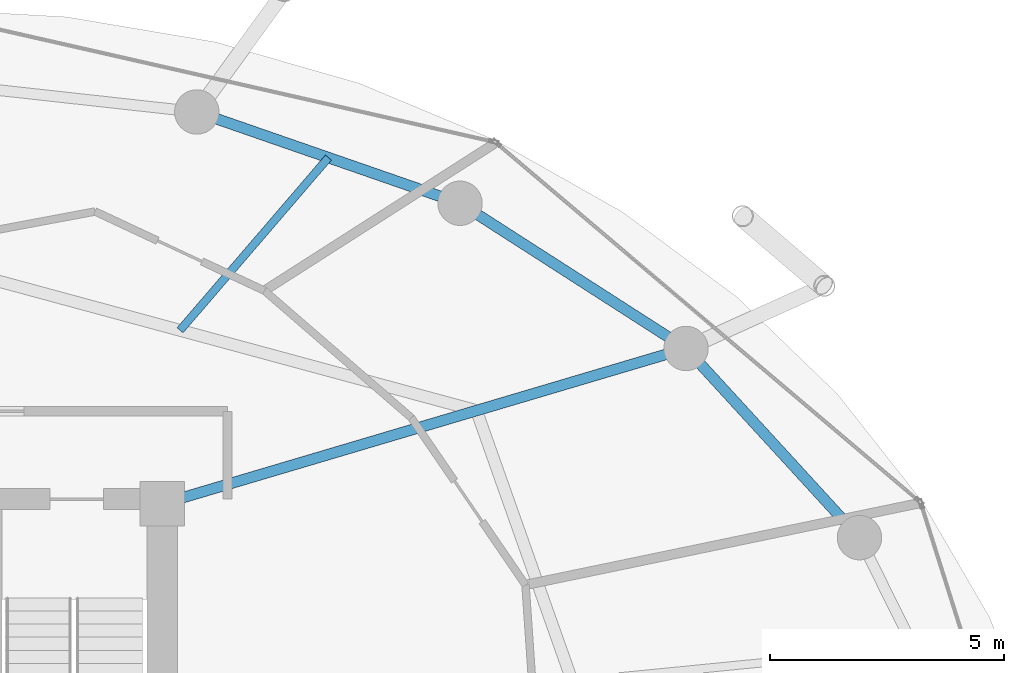
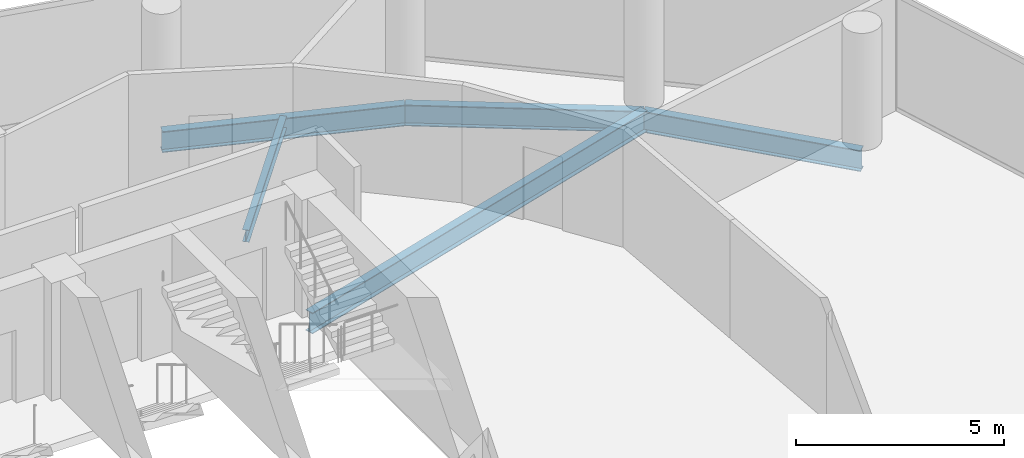
# One storey, part 18 of 26: 5 beams.
"""IFC4 building model written with IfcOpenShell, lengths in metres."""

from ifc_helpers import new_model, si_unit, direction, frame, origin, origin_2d, place, context, subcontext, project, spatial, i_section, extrude, material, material_profile, profile_set, type_object, element, save


model = new_model("IFC4")

# Units and contexts
model_context = context("Model", 3, precision=1e-05, world=origin(), true_north=direction((0.0, 1.0)))
body_context = subcontext(model_context, "Body", "Model", "MODEL_VIEW")
ifc_project = project(units=[si_unit("LENGTHUNIT", "METRE"), si_unit("AREAUNIT", "SQUARE_METRE"), si_unit("VOLUMEUNIT", "CUBIC_METRE"), si_unit("PLANEANGLEUNIT", "RADIAN"), si_unit("MASSUNIT", "GRAM", prefix="KILO")], contexts=[model_context])

# Site, building, storey
site_placement = place(None, origin())
site = spatial("IfcSite", under=ifc_project, at=site_placement, CompositionType="ELEMENT")
building_placement = place(site_placement, origin())
building = spatial("IfcBuilding", under=site, at=building_placement, Name="Nuhasar Tower", CompositionType="ELEMENT")
storey_placement = place(building_placement, frame((0.0, 0.0, 140.449951171875)))
storey = spatial("IfcBuildingStorey", under=building, at=storey_placement, Name="L33", CompositionType="ELEMENT", Elevation=140.449951171875)

# Beams
ifc_material = material(Name="Steel S355", Category="steel")
ifc_material_profile_1 = material_profile(ifc_material, i_section(OverallWidth=0.1708984375, OverallDepth=0.35205078125, WebThickness=0.0068359375, FlangeThickness=0.009765625, at=origin_2d()), Name="W14X30")
ifc_profile_set_1 = profile_set([ifc_material_profile_1], Name="Steel S355")
beam_type_1 = type_object("IfcBeamType", Name="BM-JST-W14X30", PredefinedType="JOIST", material=ifc_profile_set_1)
beam_1_placement = place(storey_placement, frame((44.68408203125, 41.011962890625, -0.426025390625), z_axis=(0.651690621509, 0.758484893612, 0.0), x_axis=(-0.758484893612, 0.651690621509, 0.0)))
element("IfcBeam", 1, at=beam_1_placement, inside=storey, type_object=beam_type_1, Name="L33 Secondary Floor Joist 05", PredefinedType="JOIST", context=body_context, shape_type="SweptSolid", body=[
    extrude(i_section(OverallWidth=0.1708984375, OverallDepth=0.35205078125, WebThickness=0.0068359375, FlangeThickness=0.009765625, at=origin_2d()), origin(), (0.0, 0.0, 1.0), 4.87158203125),
])
ifc_material_profile_2 = material_profile(ifc_material, i_section(OverallWidth=0.22900390625, OverallDepth=0.612060546875, WebThickness=0.011962890625, FlangeThickness=0.01953125, at=origin_2d()), Name="W24X84")
ifc_profile_set_2 = profile_set([ifc_material_profile_2], Name="Steel S355")
beam_type_2 = type_object("IfcBeamType", Name="BM-RAD-W24X84", PredefinedType="BEAM", material=ifc_profile_set_2)
beam_2_placement = place(storey_placement, frame((44.300048828125, 37.300048828125, -0.555908203125), z_axis=(0.958746492721, 0.284262489076, 0.0), x_axis=(-0.284262489076, 0.958746492721, 0.0)))
element("IfcBeam", 2, at=beam_2_placement, inside=storey, type_object=beam_type_2, Name="L33 Radial Floor Girder 05", PredefinedType="BEAM", context=body_context, shape_type="SweptSolid", body=[
    extrude(i_section(OverallWidth=0.22900390625, OverallDepth=0.612060546875, WebThickness=0.011962890625, FlangeThickness=0.01953125, at=origin_2d()), origin(), (0.0, 0.0, 1.0), 11.693359375),
])
ifc_material_profile_3 = material_profile(ifc_material, i_section(OverallWidth=0.22998046875, OverallDepth=0.616943359375, WebThickness=0.01318359375, FlangeThickness=0.022216796875, at=origin_2d()), Name="W24X94")
ifc_profile_set_3 = profile_set([ifc_material_profile_3], Name="Steel S355")
beam_type_3 = type_object("IfcBeamType", Name="BM-RING-W24X94", PredefinedType="SPANDREL", material=ifc_profile_set_3)
beam_3_placement = place(storey_placement, frame((59.221923828125, 36.574951171875, -0.558837890625), z_axis=(-0.675654174897, 0.737218716491, 0.0), x_axis=(-0.737218716491, -0.675654174897, 0.0)))
element("IfcBeam", 3, at=beam_3_placement, inside=storey, type_object=beam_type_3, Name="L33 Perimeter Ring Spandrel 03", PredefinedType="SPANDREL", context=body_context, shape_type="SweptSolid", body=[
    extrude(i_section(OverallWidth=0.22998046875, OverallDepth=0.616943359375, WebThickness=0.01318359375, FlangeThickness=0.022216796875, at=origin_2d()), origin(), (0.0, 0.0, 1.0), 5.492431640625),
])
beam_4_placement = place(storey_placement, frame((55.510986328125, 40.6240234375, -0.558837890625), z_axis=(-0.841327486207, 0.540525726448, 0.0), x_axis=(-0.540525726448, -0.841327486207, 0.0)))
element("IfcBeam", 4, at=beam_4_placement, inside=storey, type_object=beam_type_3, Name="L33 Perimeter Ring Spandrel 04", PredefinedType="SPANDREL", context=body_context, shape_type="SweptSolid", body=[
    extrude(i_section(OverallWidth=0.22998046875, OverallDepth=0.616943359375, WebThickness=0.01318359375, FlangeThickness=0.022216796875, at=origin_2d()), origin(), (0.0, 0.0, 1.0), 5.748046875),
])
beam_5_placement = place(storey_placement, frame((50.675048828125, 43.73095703125, -0.558837890625), z_axis=(-0.944801380051, 0.327643636066, 0.0), x_axis=(-0.327643636066, -0.944801380051, 0.0)))
element("IfcBeam", 5, at=beam_5_placement, inside=storey, type_object=beam_type_3, Name="L33 Perimeter Ring Spandrel 05", PredefinedType="SPANDREL", context=body_context, shape_type="SweptSolid", body=[
    extrude(i_section(OverallWidth=0.22998046875, OverallDepth=0.616943359375, WebThickness=0.01318359375, FlangeThickness=0.022216796875, at=origin_2d()), origin(), (0.0, 0.0, 1.0), 5.961181640625),
])

save(model, "model.ifc")
